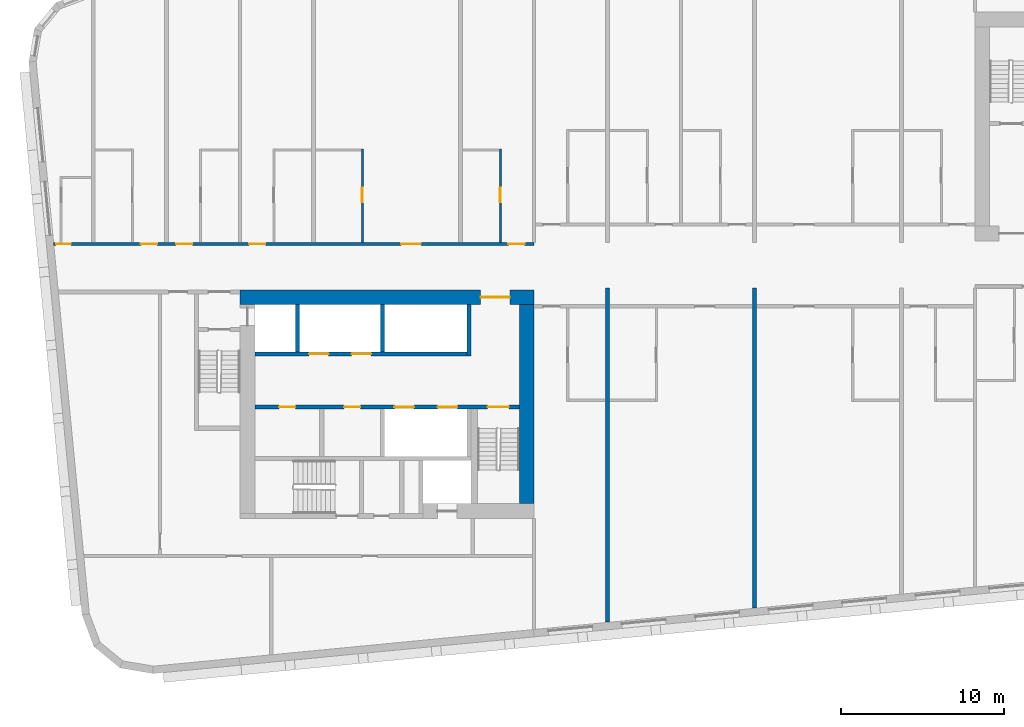
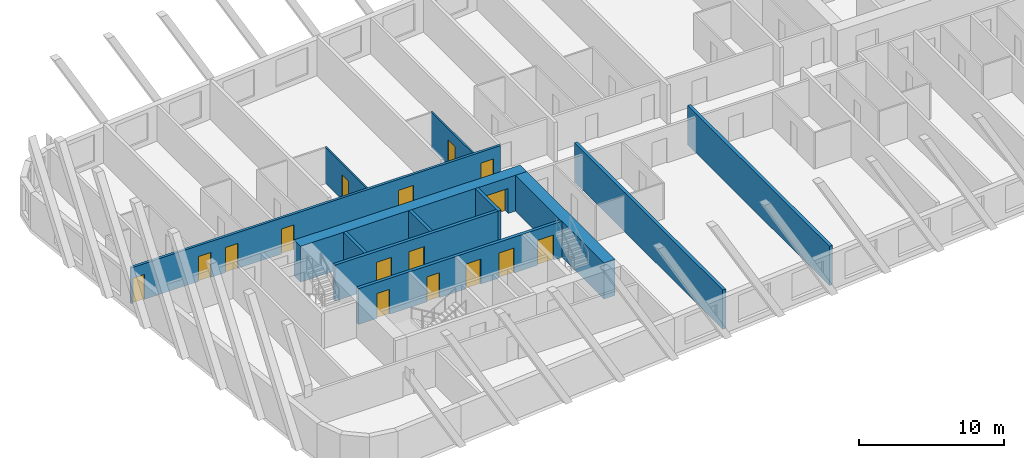
# One storey, part 3 of 13: 16 doors, 12 walls, 16 openings.
"""IFC4 building model written with IfcOpenShell, lengths in metres."""

from ifc_helpers import new_model, si_unit, direction, frame, frame_2d, origin, place, context, subcontext, project, spatial, rectangle, extrude, material, layer, layer_set, type_object, element, fill, save


model = new_model("IFC4")

# Units and contexts
model_context = context("Model", 3, precision=1e-05, world=origin(), true_north=direction((0.0, 1.0)))
body_context = subcontext(model_context, "Body", "Model", "MODEL_VIEW")
ifc_project = project(units=[si_unit("LENGTHUNIT", "METRE"), si_unit("AREAUNIT", "SQUARE_METRE"), si_unit("VOLUMEUNIT", "CUBIC_METRE"), si_unit("PLANEANGLEUNIT", "RADIAN"), si_unit("MASSUNIT", "GRAM", prefix="KILO")], contexts=[model_context])

# Site, building, storey
site_placement = place(None, origin())
site = spatial("IfcSite", under=ifc_project, at=site_placement, CompositionType="ELEMENT")
building_placement = place(site_placement, origin())
building = spatial("IfcBuilding", under=site, at=building_placement, Name="Kajstack Hotel Tower", CompositionType="ELEMENT")
storey_placement = place(building_placement, frame((0.0, 0.0, 166.89990234375)))
storey = spatial("IfcBuildingStorey", under=building, at=storey_placement, Name="L38", CompositionType="ELEMENT", Elevation=166.89990234375)

# Wall, opening, door
ifc_material_1 = material(Name="Concrete C60/75", Category="concrete")
ifc_layer_1 = layer(ifc_material_1, 0.89990234375)
ifc_layer_set_1 = layer_set([ifc_layer_1], Name="Core wall 900")
wall_type_1 = type_object("IfcWallType", Name="Core wall 900", PredefinedType="SHEAR", material=ifc_layer_set_1)
wall_1_placement = place(storey_placement, frame((-31.5, -1.949951171875, 0.0), z_axis=(0.0, 0.0, 1.0), x_axis=(1.0, 0.0, 0.0)))
wall_1 = element("IfcWall", 1, at=wall_1_placement, inside=storey, type_object=wall_type_1, Name="Core wall W RN", PredefinedType="SHEAR", context=body_context, shape_type="SweptSolid", body=[
    extrude(rectangle(XDim=18.0, YDim=0.89990234375, at=frame_2d((9.0, 0.0))), origin(), (0.0, 0.0, 1.0), 3.02001953125),
])
opening_1_placement = place(wall_1_placement, frame((14.72509765625, 0.0, 0.0)))
opening_1 = element("IfcOpeningElement", 2, at=opening_1_placement, cuts=wall_1, Name="Opening 38W07", PredefinedType="OPENING", context=body_context, shape_type="SweptSolid", body=[
    extrude(rectangle(XDim=1.800048828125, YDim=2.10009765625, at=frame_2d((0.89990234375, 1.050048828125))), frame((0.0, 0.4599609375, 0.0), z_axis=(0.0, -1.0, 0.0), x_axis=(1.0, 0.0, 0.0)), (0.0, 0.0, 1.0), 0.919921875),
])
ifc_material_2 = material(Name="Glazed steel frame, fire-rated glass", Category="steel")
door_type_1 = type_object("IfcDoorType", Name="Lobby double door 1800", OperationType="DOUBLE_DOOR_DOUBLE_SWING", PredefinedType="DOOR", material=ifc_material_2)
door_1_placement = place(opening_1_placement, origin())
door_1 = element("IfcDoor", 3, at=door_1_placement, inside=storey, type_object=door_type_1, Name="Door 38W07", OperationType="DOUBLE_DOOR_DOUBLE_SWING", OverallHeight=2.10009765625, OverallWidth=1.800048828125, PredefinedType="DOOR", context=body_context, shape_type="SweptSolid", body=[
    extrude(rectangle(XDim=1.800048828125, YDim=2.10009765625, at=frame_2d((0.89990234375, 1.050048828125))), frame((0.0, 0.02490234375, 0.0), z_axis=(0.0, -1.0, 0.0), x_axis=(1.0, 0.0, 0.0)), (0.0, 0.0, 1.0), 0.050048828125),
])
fill(opening_1, door_1)

# Wall
wall_2_placement = place(storey_placement, frame((-13.949951171875, -14.60009765625, 0.0), z_axis=(0.0, 0.0, 1.0), x_axis=(0.0, 1.0, 0.0)))
element("IfcWall", 4, at=wall_2_placement, inside=storey, type_object=wall_type_1, Name="Core wall W RE", PredefinedType="SHEAR", context=body_context, shape_type="SweptSolid", body=[
    extrude(rectangle(XDim=12.2001953125, YDim=0.89990234375, at=frame_2d((6.10009765625, 0.0))), origin(), (0.0, 0.0, 1.0), 3.02001953125),
])

# Wall, openings, doors
ifc_material_3 = material(Name="Gypsum board on steel studs, mineral wool", Category="steel")
ifc_layer_2 = layer(ifc_material_3, 0.199951171875)
ifc_layer_set_2 = layer_set([ifc_layer_2], Name="Corridor wall 200")
wall_type_2 = type_object("IfcWallType", Name="Corridor wall 200", PredefinedType="PARTITIONING", material=ifc_layer_set_2)
wall_3_placement = place(storey_placement, frame((-42.9130859375, 1.300048828125, 0.0), z_axis=(0.0, 0.0, 1.0), x_axis=(1.0, 0.0, 0.0)))
wall_3 = element("IfcWall", 5, at=wall_3_placement, inside=storey, type_object=wall_type_2, Name="G-wall-L38-003", PredefinedType="PARTITIONING", context=body_context, shape_type="SweptSolid", body=[
    extrude(rectangle(XDim=29.4130859375, YDim=0.199951171875, at=frame_2d((14.70654296875, 0.0))), origin(), (0.0, 0.0, 1.0), 3.02001953125),
])
opening_2_placement = place(wall_3_placement, frame((0.14990234375, 0.0, 0.0)))
opening_2 = element("IfcOpeningElement", 6, at=opening_2_placement, cuts=wall_3, Name="Opening 38001", PredefinedType="OPENING", context=body_context, shape_type="SweptSolid", body=[
    extrude(rectangle(XDim=0.89990234375, YDim=2.10009765625, at=frame_2d((0.449951171875, 1.050048828125))), frame((0.0, 0.10986328125, 0.0), z_axis=(0.0, -1.0, 0.0), x_axis=(1.0, 0.0, 0.0)), (0.0, 0.0, 1.0), 0.219970703125),
])
opening_3_placement = place(wall_3_placement, frame((5.337890625, 0.0, 0.0)))
opening_3 = element("IfcOpeningElement", 7, at=opening_3_placement, cuts=wall_3, Name="Opening 38003", PredefinedType="OPENING", context=body_context, shape_type="SweptSolid", body=[
    extrude(rectangle(XDim=1.0, YDim=2.10009765625, at=frame_2d((0.5, 1.050048828125))), frame((0.0, 0.10986328125, 0.0), z_axis=(0.0, -1.0, 0.0), x_axis=(1.0, 0.0, 0.0)), (0.0, 0.0, 1.0), 0.219970703125),
])
opening_4_placement = place(wall_3_placement, frame((7.488037109375, 0.0, 0.0)))
opening_4 = element("IfcOpeningElement", 8, at=opening_4_placement, cuts=wall_3, Name="Opening 38005", PredefinedType="OPENING", context=body_context, shape_type="SweptSolid", body=[
    extrude(rectangle(XDim=1.0, YDim=2.10009765625, at=frame_2d((0.5, 1.050048828125))), frame((0.0, 0.10986328125, 0.0), z_axis=(0.0, -1.0, 0.0), x_axis=(1.0, 0.0, 0.0)), (0.0, 0.0, 1.0), 0.219970703125),
])
opening_5_placement = place(wall_3_placement, frame((11.962890625, 0.0, 0.0)))
opening_5 = element("IfcOpeningElement", 9, at=opening_5_placement, cuts=wall_3, Name="Opening 38007", PredefinedType="OPENING", context=body_context, shape_type="SweptSolid", body=[
    extrude(rectangle(XDim=1.0, YDim=2.10009765625, at=frame_2d((0.5, 1.050048828125))), frame((0.0, 0.10986328125, 0.0), z_axis=(0.0, -1.0, 0.0), x_axis=(1.0, 0.0, 0.0)), (0.0, 0.0, 1.0), 0.219970703125),
])
opening_6_placement = place(wall_3_placement, frame((21.27490234375, 0.0, 0.0)))
opening_6 = element("IfcOpeningElement", 10, at=opening_6_placement, cuts=wall_3, Name="Opening 38009", PredefinedType="OPENING", context=body_context, shape_type="SweptSolid", body=[
    extrude(rectangle(XDim=1.199951171875, YDim=2.10009765625, at=frame_2d((0.60009765625, 1.050048828125))), frame((0.0, 0.10986328125, 0.0), z_axis=(0.0, -1.0, 0.0), x_axis=(1.0, 0.0, 0.0)), (0.0, 0.0, 1.0), 0.219970703125),
])
opening_7_placement = place(wall_3_placement, frame((27.837890625, 0.0, 0.0)))
opening_7 = element("IfcOpeningElement", 11, at=opening_7_placement, cuts=wall_3, Name="Opening 38011", PredefinedType="OPENING", context=body_context, shape_type="SweptSolid", body=[
    extrude(rectangle(XDim=1.0, YDim=2.10009765625, at=frame_2d((0.5, 1.050048828125))), frame((0.0, 0.10986328125, 0.0), z_axis=(0.0, -1.0, 0.0), x_axis=(1.0, 0.0, 0.0)), (0.0, 0.0, 1.0), 0.219970703125),
])
ifc_material_4 = material(Name="Oak veneer on timber core, fire-rated leaf", Category="wood")
door_type_2 = type_object("IfcDoorType", Name="Flat entrance door 1000", OperationType="SINGLE_SWING_LEFT", PredefinedType="DOOR", material=ifc_material_4)
door_2_placement = place(opening_3_placement, origin())
door_2 = element("IfcDoor", 12, at=door_2_placement, inside=storey, type_object=door_type_2, Name="G-door-L38-03", OperationType="SINGLE_SWING_LEFT", OverallHeight=2.10009765625, OverallWidth=1.0, PredefinedType="DOOR", context=body_context, shape_type="SweptSolid", body=[
    extrude(rectangle(XDim=1.0, YDim=2.10009765625, at=frame_2d((0.5, 1.050048828125))), frame((0.0, 0.02490234375, 0.0), z_axis=(0.0, -1.0, 0.0), x_axis=(1.0, 0.0, 0.0)), (0.0, 0.0, 1.0), 0.050048828125),
])
fill(opening_3, door_2)
door_3_placement = place(opening_4_placement, origin())
door_3 = element("IfcDoor", 13, at=door_3_placement, inside=storey, type_object=door_type_2, Name="G-door-L38-05", OperationType="SINGLE_SWING_RIGHT", OverallHeight=2.10009765625, OverallWidth=1.0, PredefinedType="DOOR", context=body_context, shape_type="SweptSolid", body=[
    extrude(rectangle(XDim=1.0, YDim=2.10009765625, at=frame_2d((0.5, 1.050048828125))), frame((0.0, 0.02490234375, 0.0), z_axis=(0.0, -1.0, 0.0), x_axis=(1.0, 0.0, 0.0)), (0.0, 0.0, 1.0), 0.050048828125),
])
fill(opening_4, door_3)
door_4_placement = place(opening_5_placement, origin())
door_4 = element("IfcDoor", 14, at=door_4_placement, inside=storey, type_object=door_type_2, Name="G-door-L38-07", OperationType="SINGLE_SWING_LEFT", OverallHeight=2.10009765625, OverallWidth=1.0, PredefinedType="DOOR", context=body_context, shape_type="SweptSolid", body=[
    extrude(rectangle(XDim=1.0, YDim=2.10009765625, at=frame_2d((0.5, 1.050048828125))), frame((0.0, 0.02490234375, 0.0), z_axis=(0.0, -1.0, 0.0), x_axis=(1.0, 0.0, 0.0)), (0.0, 0.0, 1.0), 0.050048828125),
])
fill(opening_5, door_4)
door_5_placement = place(opening_7_placement, origin())
door_5 = element("IfcDoor", 15, at=door_5_placement, inside=storey, type_object=door_type_2, Name="G-door-L38-11", OperationType="SINGLE_SWING_LEFT", OverallHeight=2.10009765625, OverallWidth=1.0, PredefinedType="DOOR", context=body_context, shape_type="SweptSolid", body=[
    extrude(rectangle(XDim=1.0, YDim=2.10009765625, at=frame_2d((0.5, 1.050048828125))), frame((0.0, 0.02490234375, 0.0), z_axis=(0.0, -1.0, 0.0), x_axis=(1.0, 0.0, 0.0)), (0.0, 0.0, 1.0), 0.050048828125),
])
fill(opening_7, door_5)
door_type_3 = type_object("IfcDoorType", Name="Flat entrance door 1200", OperationType="SINGLE_SWING_LEFT", PredefinedType="DOOR", material=ifc_material_4)
door_6_placement = place(opening_6_placement, origin())
door_6 = element("IfcDoor", 16, at=door_6_placement, inside=storey, type_object=door_type_3, Name="G-door-L38-09", OperationType="SINGLE_SWING_LEFT", OverallHeight=2.10009765625, OverallWidth=1.199951171875, PredefinedType="DOOR", context=body_context, shape_type="SweptSolid", body=[
    extrude(rectangle(XDim=1.199951171875, YDim=2.10009765625, at=frame_2d((0.60009765625, 1.050048828125))), frame((0.0, 0.02490234375, 0.0), z_axis=(0.0, -1.0, 0.0), x_axis=(1.0, 0.0, 0.0)), (0.0, 0.0, 1.0), 0.050048828125),
])
fill(opening_6, door_6)
ifc_material_5 = material(Name="Painted timber door leaf", Category="wood")
door_type_4 = type_object("IfcDoorType", Name="Room door 900", OperationType="SINGLE_SWING_LEFT", PredefinedType="DOOR", material=ifc_material_5)
door_7_placement = place(opening_2_placement, origin())
door_7 = element("IfcDoor", 17, at=door_7_placement, inside=storey, type_object=door_type_4, Name="G-door-L38-01", OperationType="SINGLE_SWING_RIGHT", OverallHeight=2.10009765625, OverallWidth=0.89990234375, PredefinedType="DOOR", context=body_context, shape_type="SweptSolid", body=[
    extrude(rectangle(XDim=0.89990234375, YDim=2.10009765625, at=frame_2d((0.449951171875, 1.050048828125))), frame((0.0, 0.02490234375, 0.0), z_axis=(0.0, -1.0, 0.0), x_axis=(1.0, 0.0, 0.0)), (0.0, 0.0, 1.0), 0.050048828125),
])
fill(opening_2, door_7)

# Wall, opening, door
ifc_material_6 = material(Name="Gypsum board and tiled backer on steel studs", Category="steel")
ifc_layer_3 = layer(ifc_material_6, 0.125)
ifc_layer_set_3 = layer_set([ifc_layer_3], Name="En-suite wall 125")
wall_type_3 = type_object("IfcWallType", Name="En-suite wall 125", PredefinedType="PARTITIONING", material=ifc_layer_set_3)
wall_4_placement = place(storey_placement, frame((-24.011962890625, 1.39990234375, 0.0), z_axis=(0.0, 0.0, 1.0), x_axis=(0.0, 1.0, 0.0)))
wall_4 = element("IfcWall", 18, at=wall_4_placement, inside=storey, type_object=wall_type_3, Name="G-wall-L38-015", PredefinedType="PARTITIONING", context=body_context, shape_type="SweptSolid", body=[
    extrude(rectangle(XDim=5.72509765625, YDim=0.125, at=frame_2d((2.862548828125, 0.0))), origin(), (0.0, 0.0, 1.0), 3.02001953125),
])
opening_8_placement = place(wall_4_placement, frame((2.449951171875, 0.0, 0.0)))
opening_8 = element("IfcOpeningElement", 19, at=opening_8_placement, cuts=wall_4, Name="Opening 38010", PredefinedType="OPENING", context=body_context, shape_type="SweptSolid", body=[
    extrude(rectangle(XDim=0.89990234375, YDim=2.10009765625, at=frame_2d((0.449951171875, 1.050048828125))), frame((0.0, 0.072509765625, 0.0), z_axis=(0.0, -1.0, 0.0), x_axis=(1.0, 0.0, 0.0)), (0.0, 0.0, 1.0), 0.14501953125),
])
door_8_placement = place(opening_8_placement, origin())
door_8 = element("IfcDoor", 20, at=door_8_placement, inside=storey, type_object=door_type_4, Name="G-door-L38-10", OperationType="SINGLE_SWING_RIGHT", OverallHeight=2.10009765625, OverallWidth=0.89990234375, PredefinedType="DOOR", context=body_context, shape_type="SweptSolid", body=[
    extrude(rectangle(XDim=0.89990234375, YDim=2.10009765625, at=frame_2d((0.449951171875, 1.050048828125))), frame((0.0, 0.02490234375, 0.0), z_axis=(0.0, -1.0, 0.0), x_axis=(1.0, 0.0, 0.0)), (0.0, 0.0, 1.0), 0.050048828125),
])
fill(opening_8, door_8)

wall_5_placement = place(storey_placement, frame((-15.56201171875, 1.39990234375, 0.0), z_axis=(0.0, 0.0, 1.0), x_axis=(0.0, 1.0, 0.0)))
wall_5 = element("IfcWall", 21, at=wall_5_placement, inside=storey, type_object=wall_type_3, Name="G-wall-L38-018", PredefinedType="PARTITIONING", context=body_context, shape_type="SweptSolid", body=[
    extrude(rectangle(XDim=5.72509765625, YDim=0.125, at=frame_2d((2.862548828125, 0.0))), origin(), (0.0, 0.0, 1.0), 3.02001953125),
])
opening_9_placement = place(wall_5_placement, frame((2.449951171875, 0.0, 0.0)))
opening_9 = element("IfcOpeningElement", 22, at=opening_9_placement, cuts=wall_5, Name="Opening 38012", PredefinedType="OPENING", context=body_context, shape_type="SweptSolid", body=[
    extrude(rectangle(XDim=0.89990234375, YDim=2.10009765625, at=frame_2d((0.449951171875, 1.050048828125))), frame((0.0, 0.072509765625, 0.0), z_axis=(0.0, -1.0, 0.0), x_axis=(1.0, 0.0, 0.0)), (0.0, 0.0, 1.0), 0.14501953125),
])
door_9_placement = place(opening_9_placement, origin())
door_9 = element("IfcDoor", 23, at=door_9_placement, inside=storey, type_object=door_type_4, Name="G-door-L38-12", OperationType="SINGLE_SWING_RIGHT", OverallHeight=2.10009765625, OverallWidth=0.89990234375, PredefinedType="DOOR", context=body_context, shape_type="SweptSolid", body=[
    extrude(rectangle(XDim=0.89990234375, YDim=2.10009765625, at=frame_2d((0.449951171875, 1.050048828125))), frame((0.0, 0.02490234375, 0.0), z_axis=(0.0, -1.0, 0.0), x_axis=(1.0, 0.0, 0.0)), (0.0, 0.0, 1.0), 0.050048828125),
])
fill(opening_9, door_9)

# Walls
ifc_material_7 = material(Name="Concrete C50/60", Category="concrete")
ifc_layer_4 = layer(ifc_material_7, 0.300048828125)
ifc_layer_set_4 = layer_set([ifc_layer_4], Name="Hoistway divider wall 300")
wall_type_4 = type_object("IfcWallType", Name="Hoistway divider wall 300", PredefinedType="SHEAR", material=ifc_layer_set_4)
wall_6_placement = place(storey_placement, frame((-22.77490234375, -5.300048828125, 0.0), z_axis=(0.0, 0.0, 1.0), x_axis=(0.0, 1.0, 0.0)))
element("IfcWall", 24, at=wall_6_placement, inside=storey, type_object=wall_type_4, Name="Core wall W AP2", PredefinedType="SHEAR", context=body_context, shape_type="SweptSolid", body=[
    extrude(rectangle(XDim=2.900146484375, YDim=0.25, at=frame_2d((1.4501953125, 0.0))), origin(), (0.0, 0.0, 1.0), 3.02001953125),
])
ifc_layer_5 = layer(ifc_material_7, 0.25)
ifc_layer_set_5 = layer_set([ifc_layer_5], Name="RC cross wall 250 C50/60")
wall_type_5 = type_object("IfcWallType", Name="RC cross wall 250 C50/60", PredefinedType="SHEAR", material=ifc_layer_set_5)
wall_7_placement = place(storey_placement, frame((-9.0, -21.84521484375, 0.0), z_axis=(0.0, 0.0, 1.0), x_axis=(0.0, 1.0, 0.0)))
element("IfcWall", 25, at=wall_7_placement, inside=storey, type_object=wall_type_5, Name="S-wall-L38-04", PredefinedType="SHEAR", context=body_context, shape_type="SweptSolid", body=[
    extrude(rectangle(XDim=20.4453125, YDim=0.25, at=frame_2d((10.22265625, 0.0))), origin(), (0.0, 0.0, 1.0), 3.300048828125),
])
wall_8_placement = place(storey_placement, frame((0.0, -20.978515625, 0.0), z_axis=(0.0, 0.0, 1.0), x_axis=(0.0, 1.0, 0.0)))
element("IfcWall", 26, at=wall_8_placement, inside=storey, type_object=wall_type_5, Name="S-wall-L38-06", PredefinedType="SHEAR", context=body_context, shape_type="SweptSolid", body=[
    extrude(rectangle(XDim=19.57861328125, YDim=0.25, at=frame_2d((9.789306640625, 0.0))), origin(), (0.0, 0.0, 1.0), 3.300048828125),
])

# Wall, openings, doors
ifc_layer_6 = layer(ifc_material_7, 0.25)
ifc_layer_set_6 = layer_set([ifc_layer_6], Name="Shaft wall 250")
wall_type_6 = type_object("IfcWallType", Name="Shaft wall 250", PredefinedType="SHEAR", material=ifc_layer_set_6)
wall_9_placement = place(storey_placement, frame((-30.60009765625, -5.425048828125, 0.0), z_axis=(0.0, 0.0, 1.0), x_axis=(1.0, 0.0, 0.0)))
wall_9 = element("IfcWall", 27, at=wall_9_placement, inside=storey, type_object=wall_type_6, Name="Core wall W FA", PredefinedType="SHEAR", context=body_context, shape_type="SweptSolid", body=[
    extrude(rectangle(XDim=13.0, YDim=0.25, at=frame_2d((6.5, 0.0))), origin(), (0.0, 0.0, 1.0), 3.02001953125),
])
opening_10_placement = place(wall_9_placement, frame((3.324951171875, 0.0, 0.0)))
opening_10 = element("IfcOpeningElement", 28, at=opening_10_placement, cuts=wall_9, Name="Opening LD-MR3", PredefinedType="OPENING", context=body_context, shape_type="SweptSolid", body=[
    extrude(rectangle(XDim=1.199951171875, YDim=2.10009765625, at=frame_2d((0.60009765625, 1.050048828125))), frame((0.0, 0.135009765625, 0.0), z_axis=(0.0, -1.0, 0.0), x_axis=(1.0, 0.0, 0.0)), (0.0, 0.0, 1.0), 0.27001953125),
])
opening_11_placement = place(wall_9_placement, frame((5.925048828125, 0.0, 0.0)))
opening_11 = element("IfcOpeningElement", 29, at=opening_11_placement, cuts=wall_9, Name="Opening LD-MR4", PredefinedType="OPENING", context=body_context, shape_type="SweptSolid", body=[
    extrude(rectangle(XDim=1.199951171875, YDim=2.10009765625, at=frame_2d((0.60009765625, 1.050048828125))), frame((0.0, 0.135009765625, 0.0), z_axis=(0.0, -1.0, 0.0), x_axis=(1.0, 0.0, 0.0)), (0.0, 0.0, 1.0), 0.27001953125),
])
ifc_material_8 = material(Name="Stainless steel", Category="steel")
door_type_5 = type_object("IfcDoorType", Name="Lift landing door 1200", OperationType="SLIDING_TO_LEFT", PredefinedType="DOOR", material=ifc_material_8)
door_10_placement = place(opening_10_placement, origin())
door_10 = element("IfcDoor", 30, at=door_10_placement, inside=storey, type_object=door_type_5, Name="Landing door MR3", OperationType="SLIDING_TO_RIGHT", OverallHeight=2.10009765625, OverallWidth=1.199951171875, PredefinedType="DOOR", context=body_context, shape_type="SweptSolid", body=[
    extrude(rectangle(XDim=1.199951171875, YDim=2.10009765625, at=frame_2d((0.60009765625, 1.050048828125))), frame((0.0, 0.02490234375, 0.0), z_axis=(0.0, -1.0, 0.0), x_axis=(1.0, 0.0, 0.0)), (0.0, 0.0, 1.0), 0.050048828125),
])
fill(opening_10, door_10)
door_11_placement = place(opening_11_placement, origin())
door_11 = element("IfcDoor", 31, at=door_11_placement, inside=storey, type_object=door_type_5, Name="Landing door MR4", OperationType="SLIDING_TO_RIGHT", OverallHeight=2.10009765625, OverallWidth=1.199951171875, PredefinedType="DOOR", context=body_context, shape_type="SweptSolid", body=[
    extrude(rectangle(XDim=1.199951171875, YDim=2.10009765625, at=frame_2d((0.60009765625, 1.050048828125))), frame((0.0, 0.02490234375, 0.0), z_axis=(0.0, -1.0, 0.0), x_axis=(1.0, 0.0, 0.0)), (0.0, 0.0, 1.0), 0.050048828125),
])
fill(opening_11, door_11)

# Walls
wall_10_placement = place(storey_placement, frame((-17.47509765625, -5.550048828125, 0.0), z_axis=(0.0, 0.0, 1.0), x_axis=(0.0, 1.0, 0.0)))
element("IfcWall", 32, at=wall_10_placement, inside=storey, type_object=wall_type_6, Name="Core wall W AE", PredefinedType="SHEAR", context=body_context, shape_type="SweptSolid", body=[
    extrude(rectangle(XDim=3.150146484375, YDim=0.25, at=frame_2d((1.5751953125, 0.0))), origin(), (0.0, 0.0, 1.0), 3.02001953125),
])
wall_11_placement = place(storey_placement, frame((-27.97509765625, -5.300048828125, 0.0), z_axis=(0.0, 0.0, 1.0), x_axis=(0.0, 1.0, 0.0)))
element("IfcWall", 33, at=wall_11_placement, inside=storey, type_object=wall_type_6, Name="Core wall W AP0", PredefinedType="SHEAR", context=body_context, shape_type="SweptSolid", body=[
    extrude(rectangle(XDim=2.900146484375, YDim=0.25, at=frame_2d((1.4501953125, 0.0))), origin(), (0.0, 0.0, 1.0), 3.02001953125),
])

# Wall, openings, doors
wall_12_placement = place(storey_placement, frame((-30.60009765625, -8.675048828125, 0.0), z_axis=(0.0, 0.0, 1.0), x_axis=(1.0, 0.0, 0.0)))
wall_12 = element("IfcWall", 34, at=wall_12_placement, inside=storey, type_object=wall_type_6, Name="Core wall W FB", PredefinedType="SHEAR", context=body_context, shape_type="SweptSolid", body=[
    extrude(rectangle(XDim=16.2001953125, YDim=0.25, at=frame_2d((8.10009765625, 0.0))), origin(), (0.0, 0.0, 1.0), 3.02001953125),
])
opening_12_placement = place(wall_12_placement, frame((8.550048828125, 0.0, 0.0)))
opening_12 = element("IfcOpeningElement", 35, at=opening_12_placement, cuts=wall_12, Name="Opening LD-MR1", PredefinedType="OPENING", context=body_context, shape_type="SweptSolid", body=[
    extrude(rectangle(XDim=1.199951171875, YDim=2.10009765625, at=frame_2d((0.60009765625, 1.050048828125))), frame((0.0, 0.135009765625, 0.0), z_axis=(0.0, -1.0, 0.0), x_axis=(1.0, 0.0, 0.0)), (0.0, 0.0, 1.0), 0.27001953125),
])
opening_13_placement = place(wall_12_placement, frame((11.199951171875, 0.0, 0.0)))
opening_13 = element("IfcOpeningElement", 36, at=opening_13_placement, cuts=wall_12, Name="Opening LD-MR2", PredefinedType="OPENING", context=body_context, shape_type="SweptSolid", body=[
    extrude(rectangle(XDim=1.199951171875, YDim=2.10009765625, at=frame_2d((0.60009765625, 1.050048828125))), frame((0.0, 0.135009765625, 0.0), z_axis=(0.0, -1.0, 0.0), x_axis=(1.0, 0.0, 0.0)), (0.0, 0.0, 1.0), 0.27001953125),
])
opening_14_placement = place(wall_12_placement, frame((14.25, 0.0, 0.0)))
opening_14 = element("IfcOpeningElement", 37, at=opening_14_placement, cuts=wall_12, Name="Opening 38W11", PredefinedType="OPENING", context=body_context, shape_type="SweptSolid", body=[
    extrude(rectangle(XDim=1.300048828125, YDim=2.10009765625, at=frame_2d((0.64990234375, 1.050048828125))), frame((0.0, 0.135009765625, 0.0), z_axis=(0.0, -1.0, 0.0), x_axis=(1.0, 0.0, 0.0)), (0.0, 0.0, 1.0), 0.27001953125),
])
opening_15_placement = place(wall_12_placement, frame((1.487548828125, 0.0, 0.0)))
opening_15 = element("IfcOpeningElement", 38, at=opening_15_placement, cuts=wall_12, Name="Opening 38W14", PredefinedType="OPENING", context=body_context, shape_type="SweptSolid", body=[
    extrude(rectangle(XDim=1.0, YDim=2.10009765625, at=frame_2d((0.5, 1.050048828125))), frame((0.0, 0.135009765625, 0.0), z_axis=(0.0, -1.0, 0.0), x_axis=(1.0, 0.0, 0.0)), (0.0, 0.0, 1.0), 0.27001953125),
])
opening_16_placement = place(wall_12_placement, frame((5.46240234375, 0.0, 0.0)))
opening_16 = element("IfcOpeningElement", 39, at=opening_16_placement, cuts=wall_12, Name="Opening 38W15", PredefinedType="OPENING", context=body_context, shape_type="SweptSolid", body=[
    extrude(rectangle(XDim=1.0, YDim=2.10009765625, at=frame_2d((0.5, 1.050048828125))), frame((0.0, 0.135009765625, 0.0), z_axis=(0.0, -1.0, 0.0), x_axis=(1.0, 0.0, 0.0)), (0.0, 0.0, 1.0), 0.27001953125),
])
door_12_placement = place(opening_12_placement, origin())
door_12 = element("IfcDoor", 40, at=door_12_placement, inside=storey, type_object=door_type_5, Name="Landing door MR1", OperationType="SLIDING_TO_LEFT", OverallHeight=2.10009765625, OverallWidth=1.199951171875, PredefinedType="DOOR", context=body_context, shape_type="SweptSolid", body=[
    extrude(rectangle(XDim=1.199951171875, YDim=2.10009765625, at=frame_2d((0.60009765625, 1.050048828125))), frame((0.0, 0.02490234375, 0.0), z_axis=(0.0, -1.0, 0.0), x_axis=(1.0, 0.0, 0.0)), (0.0, 0.0, 1.0), 0.050048828125),
])
fill(opening_12, door_12)
door_13_placement = place(opening_13_placement, origin())
door_13 = element("IfcDoor", 41, at=door_13_placement, inside=storey, type_object=door_type_5, Name="Landing door MR2", OperationType="SLIDING_TO_RIGHT", OverallHeight=2.10009765625, OverallWidth=1.199951171875, PredefinedType="DOOR", context=body_context, shape_type="SweptSolid", body=[
    extrude(rectangle(XDim=1.199951171875, YDim=2.10009765625, at=frame_2d((0.60009765625, 1.050048828125))), frame((0.0, 0.02490234375, 0.0), z_axis=(0.0, -1.0, 0.0), x_axis=(1.0, 0.0, 0.0)), (0.0, 0.0, 1.0), 0.050048828125),
])
fill(opening_13, door_13)
ifc_material_9 = material(Name="Timber leaf, fire-rated", Category="wood")
door_type_6 = type_object("IfcDoorType", Name="Service room door 1000", OperationType="SINGLE_SWING_LEFT", PredefinedType="DOOR", material=ifc_material_9)
door_14_placement = place(opening_15_placement, origin())
door_14 = element("IfcDoor", 42, at=door_14_placement, inside=storey, type_object=door_type_6, Name="Door 38W14", OperationType="SINGLE_SWING_RIGHT", OverallHeight=2.10009765625, OverallWidth=1.0, PredefinedType="DOOR", context=body_context, shape_type="SweptSolid", body=[
    extrude(rectangle(XDim=1.0, YDim=2.10009765625, at=frame_2d((0.5, 1.050048828125))), frame((0.0, 0.02490234375, 0.0), z_axis=(0.0, -1.0, 0.0), x_axis=(1.0, 0.0, 0.0)), (0.0, 0.0, 1.0), 0.050048828125),
])
fill(opening_15, door_14)
door_15_placement = place(opening_16_placement, origin())
door_15 = element("IfcDoor", 43, at=door_15_placement, inside=storey, type_object=door_type_6, Name="Door 38W15", OperationType="SINGLE_SWING_RIGHT", OverallHeight=2.10009765625, OverallWidth=1.0, PredefinedType="DOOR", context=body_context, shape_type="SweptSolid", body=[
    extrude(rectangle(XDim=1.0, YDim=2.10009765625, at=frame_2d((0.5, 1.050048828125))), frame((0.0, 0.02490234375, 0.0), z_axis=(0.0, -1.0, 0.0), x_axis=(1.0, 0.0, 0.0)), (0.0, 0.0, 1.0), 0.050048828125),
])
fill(opening_16, door_15)
ifc_material_10 = material(Name="Steel leaf, fire-rated", Category="steel")
door_type_7 = type_object("IfcDoorType", Name="Stair door 1300", OperationType="SINGLE_SWING_LEFT", PredefinedType="DOOR", material=ifc_material_10)
door_16_placement = place(opening_14_placement, origin())
door_16 = element("IfcDoor", 44, at=door_16_placement, inside=storey, type_object=door_type_7, Name="Door 38W11", OperationType="SINGLE_SWING_RIGHT", OverallHeight=2.10009765625, OverallWidth=1.300048828125, PredefinedType="DOOR", context=body_context, shape_type="SweptSolid", body=[
    extrude(rectangle(XDim=1.300048828125, YDim=2.10009765625, at=frame_2d((0.64990234375, 1.050048828125))), frame((0.0, 0.02490234375, 0.0), z_axis=(0.0, -1.0, 0.0), x_axis=(1.0, 0.0, 0.0)), (0.0, 0.0, 1.0), 0.050048828125),
])
fill(opening_14, door_16)

save(model, "model.ifc")
